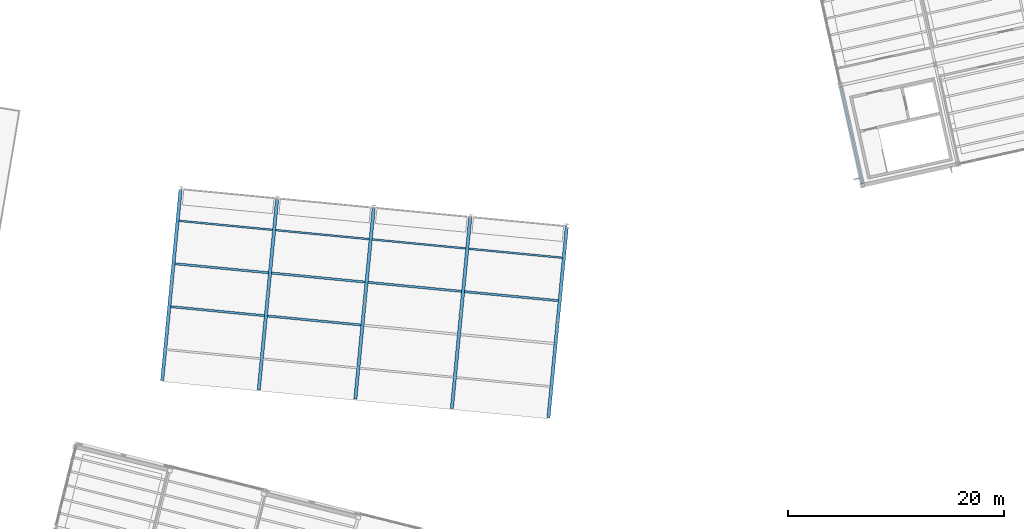
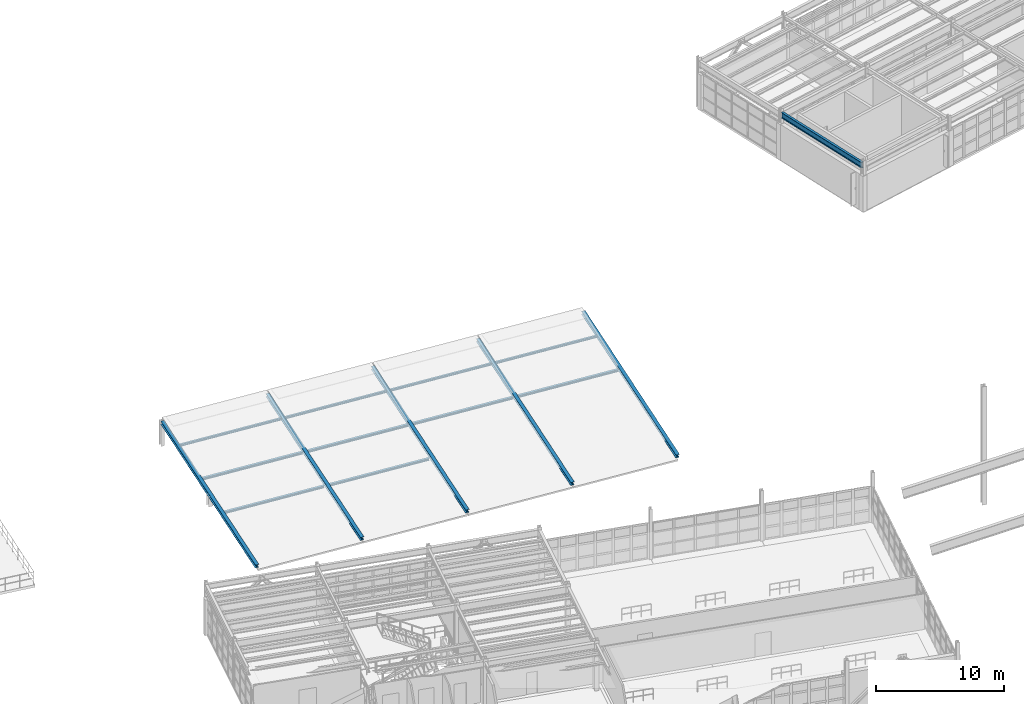
# One storey, part 27 of 59: 15 members, 1 beam.
"""IFC4 building model written with IfcOpenShell, lengths in metres."""

from ifc_helpers import new_model, si_unit, direction, frame, origin, origin_2d, place, context, subcontext, project, spatial, i_section, extrude, material, material_profile, profile_set, type_object, element, save


model = new_model("IFC4")

# Units and contexts
model_context = context("Model", 3, precision=1e-05, world=origin(), true_north=direction((0.0, 1.0)))
body_context = subcontext(model_context, "Body", "Model", "MODEL_VIEW")
ifc_project = project(units=[si_unit("LENGTHUNIT", "METRE"), si_unit("AREAUNIT", "SQUARE_METRE"), si_unit("VOLUMEUNIT", "CUBIC_METRE"), si_unit("PLANEANGLEUNIT", "RADIAN"), si_unit("MASSUNIT", "GRAM", prefix="KILO")], contexts=[model_context])

# Site, building, storey
site_placement = place(None, origin())
site = spatial("IfcSite", under=ifc_project, at=site_placement, CompositionType="ELEMENT")
building_placement = place(site_placement, origin())
building = spatial("IfcBuilding", under=site, at=building_placement, Name="Vireo Bluff Cable Station", CompositionType="ELEMENT")
storey_placement = place(building_placement, frame((0.0, 0.0, 14.39990234375)))
storey = spatial("IfcBuildingStorey", under=building, at=storey_placement, Name="L03", CompositionType="ELEMENT", Elevation=14.39990234375)

# Members
ifc_material = material(Name="Steel ASTM A992 Gr. 50", Category="steel")
ifc_material_profile_1 = material_profile(ifc_material, i_section(OverallWidth=0.304931640625, OverallDepth=0.306884765625, WebThickness=0.010009765625, FlangeThickness=0.015380859375, FilletRadius=0.012939453125, at=origin_2d()), Name="W12X65")
ifc_profile_set_1 = profile_set([ifc_material_profile_1], Name="Steel ASTM A992 Gr. 50")
member_type_1 = type_object("IfcMemberType", Name="CHD-01", PredefinedType="CHORD", material=ifc_profile_set_1)
for number, where, z_axis, x_axis, name in (
    (1, (76.708251953125, 66.2607421875, -0.119873046875), (0.094999754076, 0.986651203766, 0.132266582447), (-0.995396578666, 0.095841802879, 0.0), "V3 sloped roof rafter chord 2"),
    (2, (85.666748046875, 65.398193359375, -0.119873046875), (0.094999754076, 0.986651203766, 0.132266582447), (-0.995396578666, 0.095841802879, 0.0), "V3 sloped roof rafter chord 3"),
    (3, (94.625244140625, 64.535400390625, -0.119873046875), (0.094999754076, 0.986651203766, 0.132266582447), (-0.995396578666, 0.095841802879, 0.0), "V3 sloped roof rafter chord 4"),
):
    element("IfcMember", number, at=place(storey_placement, frame(where, z_axis=z_axis, x_axis=x_axis)), inside=storey, type_object=member_type_1, Name=name, PredefinedType="CHORD", context=body_context, shape_type="SweptSolid", body=[
        extrude(i_section(OverallWidth=0.304931640625, OverallDepth=0.306884765625, WebThickness=0.010009765625, FlangeThickness=0.015380859375, FilletRadius=0.012939453125, at=origin_2d()), origin(), (0.0, 0.0, 1.0), 17.91748046875),
    ])
ifc_material_profile_2 = material_profile(ifc_material, i_section(OverallWidth=0.304931640625, OverallDepth=0.306884765625, WebThickness=0.010009765625, FlangeThickness=0.015380859375, FilletRadius=0.012939453125, at=origin_2d()), Name="W12X65")
ifc_profile_set_2 = profile_set([ifc_material_profile_2], Name="Steel ASTM A992 Gr. 50")
member_type_2 = type_object("IfcMemberType", Name="EXTCHD-01", PredefinedType="CHORD", material=ifc_profile_set_2)
for number, where, z_axis, x_axis, name in (
    (4, (67.74951171875, 67.123291015625, -0.119873046875), (0.095013256974, 0.9866499265, 0.132266411221), (-0.995395267134, 0.095855423253, 0.0), "V3 sloped roof rafter chord 1"),
    (5, (103.583740234375, 63.6728515625, -0.119873046875), (0.095013256974, 0.9866499265, 0.132266411221), (-0.995395267134, 0.095855423253, 0.0), "V3 sloped roof rafter chord 5"),
):
    element("IfcMember", number, at=place(storey_placement, frame(where, z_axis=z_axis, x_axis=x_axis)), inside=storey, type_object=member_type_2, Name=name, PredefinedType="CHORD", context=body_context, shape_type="SweptSolid", body=[
        extrude(i_section(OverallWidth=0.304931640625, OverallDepth=0.306884765625, WebThickness=0.010009765625, FlangeThickness=0.015380859375, FilletRadius=0.012939453125, at=origin_2d()), origin(), (0.0, 0.0, 1.0), 17.91748046875),
    ])
ifc_material_profile_3 = material_profile(ifc_material, i_section(OverallWidth=0.1650390625, OverallDepth=0.200927734375, WebThickness=0.006103515625, FlangeThickness=0.01025390625, FilletRadius=0.008056640625, at=origin_2d()), Name="W8X24")
ifc_profile_set_3 = profile_set([ifc_material_profile_3], Name="Steel ASTM A992 Gr. 50")
member_type_3 = type_object("IfcMemberType", Name="PUR-01", PredefinedType="PURLIN", material=ifc_profile_set_3)
member_1_placement = place(storey_placement, frame((69.315185546875, 81.92138671875, 1.85009765625), z_axis=(0.995396914857, -0.095838311194, 0.0), x_axis=(0.095838311194, 0.995396914857, 0.0)))
element("IfcMember", 6, at=member_1_placement, inside=storey, type_object=member_type_3, Name="V3 wing roof purlin 1.44", PredefinedType="PURLIN", context=body_context, shape_type="SweptSolid", body=[
    extrude(i_section(OverallWidth=0.1650390625, OverallDepth=0.200927734375, WebThickness=0.006103515625, FlangeThickness=0.01025390625, FilletRadius=0.008056640625, at=origin_2d()), origin(), (0.0, 0.0, 1.0), 8.7197265625),
])
for number, where, z_axis, x_axis, name in (
    (7, (78.273681640625, 81.058837890625, 1.85009765625), (0.995394500818, -0.095863380609, 0.0), (0.095863380609, 0.995394500818, 0.0), "V3 wing roof purlin 2.44"),
    (8, (87.232177734375, 80.1962890625, 1.85009765625), (0.995394500818, -0.095863380609, 0.0), (0.095863380609, 0.995394500818, 0.0), "V3 wing roof purlin 3.44"),
):
    element("IfcMember", number, at=place(storey_placement, frame(where, z_axis=z_axis, x_axis=x_axis)), inside=storey, type_object=member_type_3, Name=name, PredefinedType="PURLIN", context=body_context, shape_type="SweptSolid", body=[
        extrude(i_section(OverallWidth=0.1650390625, OverallDepth=0.200927734375, WebThickness=0.006103515625, FlangeThickness=0.01025390625, FilletRadius=0.008056640625, at=origin_2d()), origin(), (0.0, 0.0, 1.0), 8.719970703125),
    ])
member_2_placement = place(storey_placement, frame((96.19091796875, 79.33349609375, 1.85009765625), z_axis=(0.995396914857, -0.095838311194, 0.0), x_axis=(0.095838311194, 0.995396914857, 0.0)))
element("IfcMember", 9, at=member_2_placement, inside=storey, type_object=member_type_3, Name="V3 wing roof purlin 4.44", PredefinedType="PURLIN", context=body_context, shape_type="SweptSolid", body=[
    extrude(i_section(OverallWidth=0.1650390625, OverallDepth=0.200927734375, WebThickness=0.006103515625, FlangeThickness=0.01025390625, FilletRadius=0.008056640625, at=origin_2d()), origin(), (0.0, 0.0, 1.0), 8.7197265625),
])
ifc_material_profile_4 = material_profile(ifc_material, i_section(OverallWidth=0.2041015625, OverallDepth=0.2060546875, WebThickness=0.0078125, FlangeThickness=0.0126953125, FilletRadius=0.008056640625, at=origin_2d()), Name="W8X35")
ifc_profile_set_4 = profile_set([ifc_material_profile_4], Name="Steel ASTM A992 Gr. 50")
member_type_4 = type_object("IfcMemberType", Name="PUR-03", PredefinedType="PURLIN", material=ifc_profile_set_4)
for number, where, z_axis, x_axis, name in (
    (10, (68.54833984375, 73.958251953125, 0.516845703125), (0.995397172011, -0.095835640306, 0.0), (0.095835640306, 0.995397172011, 0.0), "V3 wing roof purlin 1.36"),
    (11, (77.5068359375, 73.095703125, 0.516845703125), (0.995394500818, -0.095863380609, 0.0), (0.095863380609, 0.995394500818, 0.0), "V3 wing roof purlin 2.36"),
):
    element("IfcMember", number, at=place(storey_placement, frame(where, z_axis=z_axis, x_axis=x_axis)), inside=storey, type_object=member_type_4, Name=name, PredefinedType="PURLIN", context=body_context, shape_type="SweptSolid", body=[
        extrude(i_section(OverallWidth=0.2041015625, OverallDepth=0.2060546875, WebThickness=0.0078125, FlangeThickness=0.0126953125, FilletRadius=0.008056640625, at=origin_2d()), origin(), (0.0, 0.0, 1.0), 8.719970703125),
    ])
ifc_material_profile_5 = material_profile(ifc_material, i_section(OverallWidth=0.2060546875, OverallDepth=0.216064453125, WebThickness=0.01025390625, FlangeThickness=0.017333984375, FilletRadius=0.008056640625, at=origin_2d()), Name="W8X48")
ifc_profile_set_5 = profile_set([ifc_material_profile_5], Name="Steel ASTM A992 Gr. 50")
member_type_5 = type_object("IfcMemberType", Name="PUR-04", PredefinedType="PURLIN", material=ifc_profile_set_5)
member_3_placement = place(storey_placement, frame((68.931640625, 77.939697265625, 1.183349609375), z_axis=(0.995397172011, -0.095835640306, 0.0), x_axis=(0.095835640306, 0.995397172011, 0.0)))
element("IfcMember", 12, at=member_3_placement, inside=storey, type_object=member_type_5, Name="V3 wing roof purlin 1.40", PredefinedType="PURLIN", context=body_context, shape_type="SweptSolid", body=[
    extrude(i_section(OverallWidth=0.2060546875, OverallDepth=0.216064453125, WebThickness=0.01025390625, FlangeThickness=0.017333984375, FilletRadius=0.008056640625, at=origin_2d()), origin(), (0.0, 0.0, 1.0), 8.719970703125),
])
member_4_placement = place(storey_placement, frame((77.890380859375, 77.0771484375, 1.183349609375), z_axis=(0.995396914857, -0.095838311194, 0.0), x_axis=(0.095838311194, 0.995396914857, 0.0)))
element("IfcMember", 13, at=member_4_placement, inside=storey, type_object=member_type_5, Name="V3 wing roof purlin 2.40", PredefinedType="PURLIN", context=body_context, shape_type="SweptSolid", body=[
    extrude(i_section(OverallWidth=0.2060546875, OverallDepth=0.216064453125, WebThickness=0.01025390625, FlangeThickness=0.017333984375, FilletRadius=0.008056640625, at=origin_2d()), origin(), (0.0, 0.0, 1.0), 8.7197265625),
])
for number, where, z_axis, x_axis, name in (
    (14, (86.848876953125, 76.214599609375, 1.183349609375), (0.995397172011, -0.095835640306, 0.0), (0.095835640306, 0.995397172011, 0.0), "V3 wing roof purlin 3.40"),
    (15, (95.807373046875, 75.35205078125, 1.183349609375), (0.995394500818, -0.095863380609, 0.0), (0.095863380609, 0.995394500818, 0.0), "V3 wing roof purlin 4.40"),
):
    element("IfcMember", number, at=place(storey_placement, frame(where, z_axis=z_axis, x_axis=x_axis)), inside=storey, type_object=member_type_5, Name=name, PredefinedType="PURLIN", context=body_context, shape_type="SweptSolid", body=[
        extrude(i_section(OverallWidth=0.2060546875, OverallDepth=0.216064453125, WebThickness=0.01025390625, FlangeThickness=0.017333984375, FilletRadius=0.008056640625, at=origin_2d()), origin(), (0.0, 0.0, 1.0), 8.719970703125),
    ])

# Beam
ifc_material_profile_6 = material_profile(ifc_material, i_section(OverallWidth=0.2099609375, OverallDepth=0.535888671875, WebThickness=0.010986328125, FlangeThickness=0.017333984375, FilletRadius=0.012939453125, at=origin_2d()), Name="W21X68")
ifc_profile_set_6 = profile_set([ifc_material_profile_6], Name="Steel ASTM A992 Gr. 50")
beam_type = type_object("IfcBeamType", Name="SPN-W21X68", PredefinedType="SPANDREL", material=ifc_profile_set_6)
beam_placement = place(storey_placement, frame((132.70458984375, 85.33984375, 4.232177734375), z_axis=(-0.216455863908, 0.976292404447, 0.0), x_axis=(-0.976292404447, -0.216455863908, 0.0)))
element("IfcBeam", 16, at=beam_placement, inside=storey, type_object=beam_type, Name="V2 L03 spandrel 573", PredefinedType="SPANDREL", context=body_context, shape_type="SweptSolid", body=[
    extrude(i_section(OverallWidth=0.2099609375, OverallDepth=0.535888671875, WebThickness=0.010986328125, FlangeThickness=0.017333984375, FilletRadius=0.012939453125, at=origin_2d()), origin(), (0.0, 0.0, 1.0), 9.260009765625),
])

save(model, "model.ifc")
